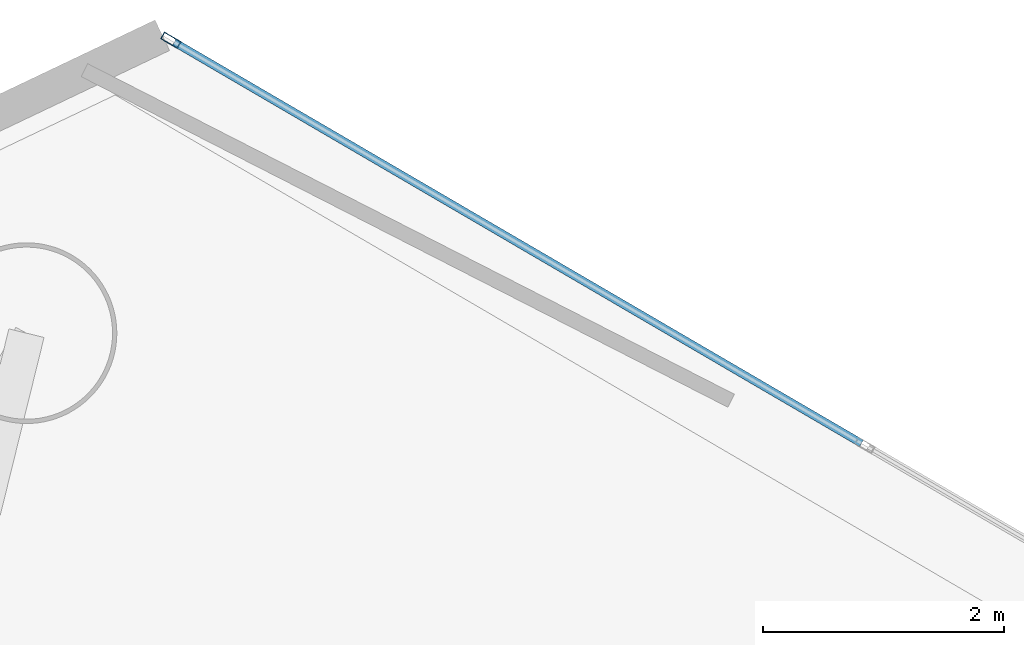
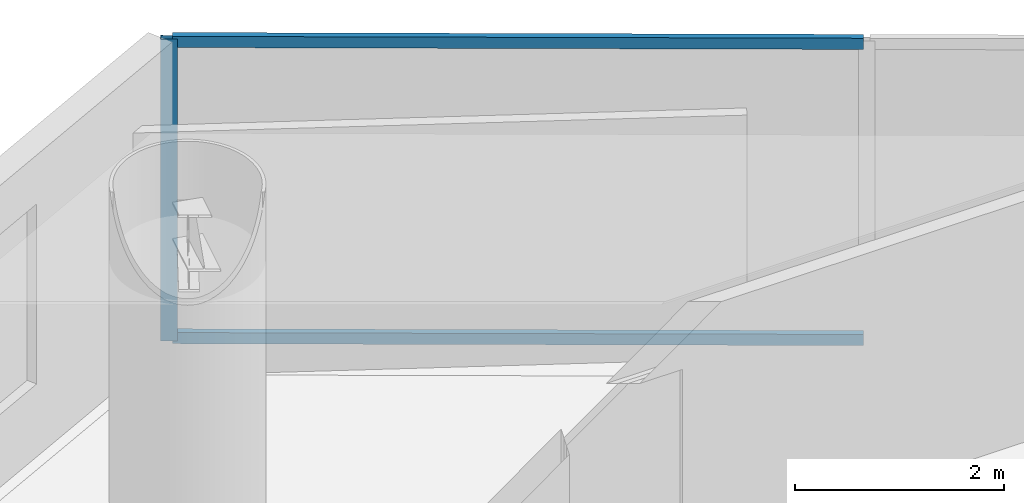
# One storey, part 12 of 19: 3 members, 1 element without a shape of its own.
"""IFC4 building model written with IfcOpenShell, lengths in metres."""

from ifc_helpers import new_model, si_unit, direction, frame, origin, origin_2d, place, context, subcontext, project, spatial, hollow_rectangle, extrude, material, layer, layer_set, material_profile, profile_set, type_object, element, aggregate, save


model = new_model("IFC4")

# Units and contexts
model_context = context("Model", 3, precision=1e-05, world=origin(), true_north=direction((0.0, 1.0)))
body_context = subcontext(model_context, "Body", "Model", "MODEL_VIEW")
ifc_project = project(units=[si_unit("LENGTHUNIT", "METRE"), si_unit("AREAUNIT", "SQUARE_METRE"), si_unit("VOLUMEUNIT", "CUBIC_METRE"), si_unit("PLANEANGLEUNIT", "RADIAN"), si_unit("MASSUNIT", "GRAM", prefix="KILO")], contexts=[model_context])

# Site, building, storey
site_placement = place(None, origin())
site = spatial("IfcSite", under=ifc_project, at=site_placement, CompositionType="ELEMENT")
building_placement = place(site_placement, origin())
building = spatial("IfcBuilding", under=site, at=building_placement, Name="Qianvela Tower", CompositionType="ELEMENT")
storey_placement = place(building_placement, frame((0.0, 0.0, 120.0)))
storey = spatial("IfcBuildingStorey", under=building, at=storey_placement, Name="L30", CompositionType="ELEMENT", Elevation=120.0)

# Curtain wall, members
ifc_material_1 = material(Name="Anodised Architectural Aluminium and Low-E Glass", Category="aluminium")
ifc_layer = layer(ifc_material_1, 0.169921875)
ifc_layer_set = layer_set([ifc_layer], Name="Anodised Architectural Aluminium and Low-E Glass")
curtain_wall_type = type_object("IfcCurtainWallType", Name="CW-COLIV-Z34", PredefinedType="USERDEFINED", material=ifc_layer_set)
curtain_wall_placement = place(storey_placement, origin())
curtain_wall = element("IfcCurtainWall", 1, at=curtain_wall_placement, inside=storey, type_object=curtain_wall_type, Name="L30 CW-COLIV-Z34 Curtain Wall 02C", ObjectType="CURTAIN_WALL_SYSTEM", PredefinedType="USERDEFINED")
ifc_material_2 = material(Name="Anodised Architectural Aluminium 6063-T6", Category="aluminium")
ifc_material_profile_1 = material_profile(ifc_material_2, hollow_rectangle(XDim=0.06494140625, YDim=0.159912109375, WallThickness=0.0048828125, at=origin_2d()), Name="ALU-MULL-65x160")
ifc_profile_set_1 = profile_set([ifc_material_profile_1], Name="Anodised Architectural Aluminium 6063-T6")
member_type_1 = type_object("IfcMemberType", Name="CW-COLIV-Z34-MULL", PredefinedType="MULLION", material=ifc_profile_set_1)
member_1_placement = place(storey_placement, frame((31.76220703125, 43.951904296875, 0.0), z_axis=(0.0, 0.0, 1.0), x_axis=(-0.504123400276, -0.86363163287, 0.0)))
member_1 = element("IfcMember", 2, at=member_1_placement, type_object=member_type_1, Name="CW-4 mullion 3", PredefinedType="MULLION", context=body_context, shape_type="SweptSolid", body=[
    extrude(hollow_rectangle(XDim=0.06494140625, YDim=0.159912109375, WallThickness=0.0048828125, at=origin_2d()), origin(), (0.0, 0.0, 1.0), 3.52001953125),
])
ifc_material_3 = material(Name="Anodised Architectural Aluminium 6063-T6", Category="aluminium")
ifc_material_profile_2 = material_profile(ifc_material_3, hollow_rectangle(XDim=0.06494140625, YDim=0.1298828125, WallThickness=0.00439453125, at=origin_2d()), Name="ALU-TRAN-65x130")
ifc_profile_set_2 = profile_set([ifc_material_profile_2], Name="Anodised Architectural Aluminium 6063-T6")
member_type_2 = type_object("IfcMemberType", Name="CW-COLIV-Z34-TRAN", PredefinedType="USERDEFINED", material=ifc_profile_set_2)
member_2_placement = place(storey_placement, frame((37.492919921875, 40.606689453125, 0.032470703125), z_axis=(-0.863625986438, 0.504133073255, 0.0), x_axis=(-0.504133073255, -0.863625986438, 0.0)))
member_2 = element("IfcMember", 3, at=member_2_placement, type_object=member_type_2, Name="CW-4 transom 2.1", ObjectType="TRANSOM", PredefinedType="USERDEFINED", context=body_context, shape_type="SweptSolid", body=[
    extrude(hollow_rectangle(XDim=0.06494140625, YDim=0.1298828125, WallThickness=0.00439453125, at=origin_2d()), origin(), (0.0, 0.0, 1.0), 6.60302734375),
])
member_3_placement = place(storey_placement, frame((37.492919921875, 40.606689453125, 3.487548828125), z_axis=(-0.863625986438, 0.504133073255, 0.0), x_axis=(-0.504133073255, -0.863625986438, 0.0)))
member_3 = element("IfcMember", 4, at=member_3_placement, type_object=member_type_2, Name="CW-4 transom 2.2", ObjectType="TRANSOM", PredefinedType="USERDEFINED", context=body_context, shape_type="SweptSolid", body=[
    extrude(hollow_rectangle(XDim=0.06494140625, YDim=0.1298828125, WallThickness=0.00439453125, at=origin_2d()), origin(), (0.0, 0.0, 1.0), 6.60302734375),
])
aggregate(curtain_wall, [member_1, member_2, member_3])

save(model, "model.ifc")
